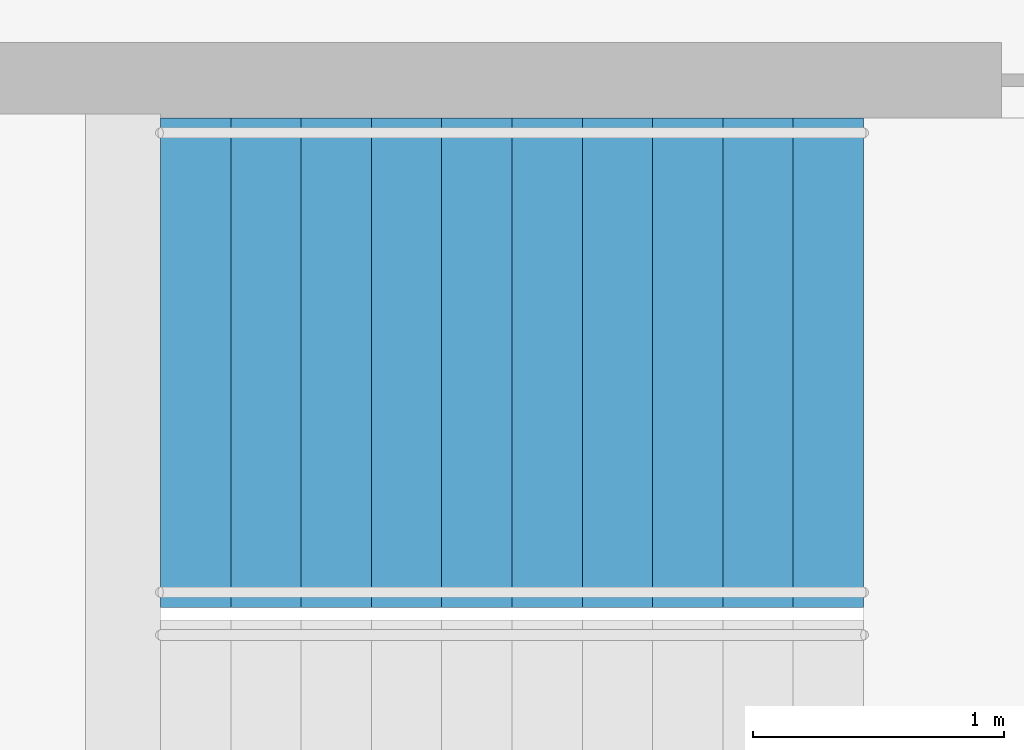
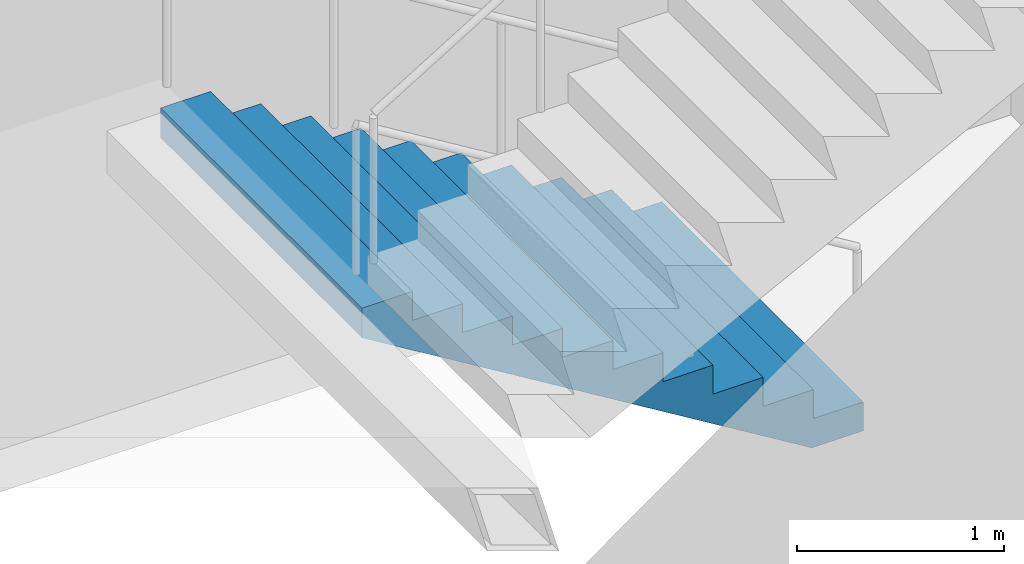
# One storey, part 22 of 23: 1 stair flight, 1 element without a shape of its own.
"""IFC4 building model written with IfcOpenShell, lengths in metres."""

from ifc_helpers import new_model, si_unit, direction, frame, origin, place, context, subcontext, project, spatial, triangles, material, type_object, element, aggregate, save


model = new_model("IFC4")

# Units and contexts
model_context = context("Model", 3, precision=1e-05, world=origin(), true_north=direction((0.0, 1.0)))
body_context = subcontext(model_context, "Body", "Model", "MODEL_VIEW")
ifc_project = project(units=[si_unit("LENGTHUNIT", "METRE"), si_unit("AREAUNIT", "SQUARE_METRE"), si_unit("VOLUMEUNIT", "CUBIC_METRE"), si_unit("PLANEANGLEUNIT", "RADIAN"), si_unit("MASSUNIT", "GRAM", prefix="KILO")], contexts=[model_context])

# Site, building, storey
site_placement = place(None, origin())
site = spatial("IfcSite", under=ifc_project, at=site_placement, CompositionType="ELEMENT")
building_placement = place(site_placement, origin())
building = spatial("IfcBuilding", under=site, at=building_placement, Name="Orbita Commons", CompositionType="ELEMENT")
storey_placement = place(building_placement, frame((0.0, 0.0, 46.449951171875)))
storey = spatial("IfcBuildingStorey", under=building, at=storey_placement, Name="L11", CompositionType="ELEMENT", Elevation=46.449951171875)

# Stair, stair flight
ifc_material_1 = material(Name="Precast concrete C40/50", Category="concrete")
stair_type = type_object("IfcStairType", Name="Exit stair S2 2 flights 11 risers 170", PredefinedType="HALF_TURN_STAIR", material=ifc_material_1)
stair_placement = place(storey_placement, origin())
stair = element("IfcStair", 1, at=stair_placement, inside=storey, type_object=stair_type, Name="Exit stair S2 L11", PredefinedType="HALF_TURN_STAIR")
ifc_material_2 = material(Name="Precast concrete C40/50", Category="concrete")
stair_flight_type = type_object("IfcStairFlightType", Name="Stair flight 11 risers 170 x 280", PredefinedType="STRAIGHT", material=ifc_material_2)
stair_flight_placement = place(storey_placement, frame((63.550048828125, 29.27490234375, 0.0), z_axis=(0.0, 0.0, 1.0), x_axis=(-1.0, 0.0, 0.0)))
stair_flight = element("IfcStairFlight", 2, at=stair_flight_placement, type_object=stair_flight_type, Name="S2 flight 1", NumberOfRisers=11, NumberOfTreads=10, PredefinedType="STRAIGHT", RiserHeight=0.170454545, TreadLength=0.28, context=body_context, shape_type="Tessellation", body=[
    triangles([(0.0, 0.974976, 0.0), (0.0, 0.974976, 0.021307), (0.0, 0.81248, 0.021307), (0.0, 0.81248, 0.0), (0.0, 0.649984, 0.021307), (0.0, 0.649984, 0.0), (0.0, 0.487488, 0.021307), (0.0, 0.487488, 0.0), (0.0, 0.324992, 0.021307), (0.0, 0.324992, 0.0), (0.0, 0.162496, 0.021307), (0.0, 0.162496, 0.0), (0.0, 0.0, 0.021307), (0.0, 0.0, 0.0), (0.0, -0.162496, 0.021307), (0.0, -0.162496, 0.0), (0.0, -0.324992, 0.021307), (0.0, -0.324992, 0.0), (0.0, -0.487488, 0.021307), (0.0, -0.487488, 0.0), (0.0, -0.649984, 0.021307), (0.0, -0.649984, 0.0), (0.0, -0.81248, 0.021307), (0.0, -0.81248, 0.0), (0.0, -0.974976, 0.021307), (0.0, -0.974976, 0.0), (0.0, 0.974976, 0.042614), (0.0, 0.81248, 0.042614), (0.0, 0.649984, 0.042614), (0.0, 0.487488, 0.042614), (0.0, 0.324992, 0.042614), (0.0, 0.162496, 0.042614), (0.0, 0.0, 0.042614), (0.0, -0.162496, 0.042614), (0.0, -0.324992, 0.042614), (0.0, -0.487488, 0.042614), (0.0, -0.649984, 0.042614), (0.0, -0.81248, 0.042614), (0.0, -0.974976, 0.042614), (0.0, 0.974976, 0.06392), (0.0, 0.81248, 0.06392), (0.0, 0.649984, 0.06392), (0.0, 0.487488, 0.06392), (0.0, 0.324992, 0.06392), (0.0, 0.162496, 0.06392), (0.0, 0.0, 0.06392), (0.0, -0.162496, 0.06392), (0.0, -0.324992, 0.06392), (0.0, -0.487488, 0.06392), (0.0, -0.649984, 0.06392), (0.0, -0.81248, 0.06392), (0.0, -0.974976, 0.06392), (0.0, 0.974976, 0.085227), (0.0, 0.81248, 0.085227), (0.0, 0.649984, 0.085227), (0.0, 0.487488, 0.085227), (0.0, 0.324992, 0.085227), (0.0, 0.162496, 0.085227), (0.0, 0.0, 0.085227), (0.0, -0.162496, 0.085227), (0.0, -0.324992, 0.085227), (0.0, -0.487488, 0.085227), (0.0, -0.649984, 0.085227), (0.0, -0.81248, 0.085227), (0.0, -0.974976, 0.085227), (0.0, 0.974976, 0.106534), (0.0, 0.81248, 0.106534), (0.0, 0.649984, 0.106534), (0.0, 0.487488, 0.106534), (0.0, 0.324992, 0.106534), (0.0, 0.162496, 0.106534), (0.0, 0.0, 0.106534), (0.0, -0.162496, 0.106534), (0.0, -0.324992, 0.106534), (0.0, -0.487488, 0.106534), (0.0, -0.649984, 0.106534), (0.0, -0.81248, 0.106534), (0.0, -0.974976, 0.106534), (0.0, 0.974976, 0.127841), (0.0, 0.81248, 0.127841), (0.0, 0.649984, 0.127841), (0.0, 0.487488, 0.127841), (0.0, 0.324992, 0.127841), (0.0, 0.162496, 0.127841), (0.0, 0.0, 0.127841), (0.0, -0.162496, 0.127841), (0.0, -0.324992, 0.127841), (0.0, -0.487488, 0.127841), (0.0, -0.649984, 0.127841), (0.0, -0.81248, 0.127841), (0.0, -0.974976, 0.127841), (0.0, 0.974976, 0.149148), (0.0, 0.81248, 0.149148), (0.0, 0.649984, 0.149148), (0.0, 0.487488, 0.149148), (0.0, 0.324992, 0.149148), (0.0, 0.162496, 0.149148), (0.0, 0.0, 0.149148), (0.0, -0.162496, 0.149148), (0.0, -0.324992, 0.149148), (0.0, -0.487488, 0.149148), (0.0, -0.649984, 0.149148), (0.0, -0.81248, 0.149148), (0.0, -0.974976, 0.149148), (0.0, 0.974976, 0.170455), (0.0, 0.81248, 0.170455), (0.0, 0.649984, 0.170455), (0.0, 0.487488, 0.170455), (0.0, 0.324992, 0.170455), (0.0, 0.162496, 0.170455), (0.0, 0.0, 0.170455), (0.0, -0.162496, 0.170455), (0.0, -0.324992, 0.170455), (0.0, -0.487488, 0.170455), (0.0, -0.649984, 0.170455), (0.0, -0.81248, 0.170455), (0.0, -0.974976, 0.170455), (0.28, 0.974976, 0.170455), (0.28, 0.81248, 0.170455), (0.28, 0.649984, 0.170455), (0.28, 0.487488, 0.170455), (0.28, 0.324992, 0.170455), (0.28, 0.162496, 0.170455), (0.28, 0.0, 0.170455), (0.28, -0.162496, 0.170455), (0.28, -0.324992, 0.170455), (0.28, -0.487488, 0.170455), (0.28, -0.649984, 0.170455), (0.28, -0.81248, 0.170455), (0.28, -0.974976, 0.170455), (0.28, 0.974976, 0.340909), (0.28, 0.81248, 0.340909), (0.28, 0.649984, 0.340909), (0.28, 0.487488, 0.340909), (0.28, 0.324992, 0.340909), (0.28, 0.162496, 0.340909), (0.28, 0.0, 0.340909), (0.28, -0.162496, 0.340909), (0.28, -0.324992, 0.340909), (0.28, -0.487488, 0.340909), (0.28, -0.649984, 0.340909), (0.28, -0.81248, 0.340909), (0.28, -0.974976, 0.340909), (0.56, 0.974976, 0.340909), (0.56, 0.81248, 0.340909), (0.56, 0.649984, 0.340909), (0.56, 0.487488, 0.340909), (0.56, 0.324992, 0.340909), (0.56, 0.162496, 0.340909), (0.56, 0.0, 0.340909), (0.56, -0.162496, 0.340909), (0.56, -0.324992, 0.340909), (0.56, -0.487488, 0.340909), (0.56, -0.649984, 0.340909), (0.56, -0.81248, 0.340909), (0.56, -0.974976, 0.340909), (0.56, 0.974976, 0.511364), (0.56, 0.81248, 0.511364), (0.56, 0.649984, 0.511364), (0.56, 0.487488, 0.511364), (0.56, 0.324992, 0.511364), (0.56, 0.162496, 0.511364), (0.56, 0.0, 0.511364), (0.56, -0.162496, 0.511364), (0.56, -0.324992, 0.511364), (0.56, -0.487488, 0.511364), (0.56, -0.649984, 0.511364), (0.56, -0.81248, 0.511364), (0.56, -0.974976, 0.511364), (0.84, 0.974976, 0.511364), (0.84, 0.81248, 0.511364), (0.84, 0.649984, 0.511364), (0.84, 0.487488, 0.511364), (0.84, 0.324992, 0.511364), (0.84, 0.162496, 0.511364), (0.84, 0.0, 0.511364), (0.84, -0.162496, 0.511364), (0.84, -0.324992, 0.511364), (0.84, -0.487488, 0.511364), (0.84, -0.649984, 0.511364), (0.84, -0.81248, 0.511364), (0.84, -0.974976, 0.511364), (0.84, 0.974976, 0.681818), (0.84, 0.81248, 0.681818), (0.84, 0.649984, 0.681818), (0.84, 0.487488, 0.681818), (0.84, 0.324992, 0.681818), (0.84, 0.162496, 0.681818), (0.84, 0.0, 0.681818), (0.84, -0.162496, 0.681818), (0.84, -0.324992, 0.681818), (0.84, -0.487488, 0.681818), (0.84, -0.649984, 0.681818), (0.84, -0.81248, 0.681818), (0.84, -0.974976, 0.681818), (1.12, 0.974976, 0.681818), (1.12, 0.81248, 0.681818), (1.12, 0.649984, 0.681818), (1.12, 0.487488, 0.681818), (1.12, 0.324992, 0.681818), (1.12, 0.162496, 0.681818), (1.12, 0.0, 0.681818), (1.12, -0.162496, 0.681818), (1.12, -0.324992, 0.681818), (1.12, -0.487488, 0.681818), (1.12, -0.649984, 0.681818), (1.12, -0.81248, 0.681818), (1.12, -0.974976, 0.681818), (1.12, 0.974976, 0.852273), (1.12, 0.81248, 0.852273), (1.12, 0.649984, 0.852273), (1.12, 0.487488, 0.852273), (1.12, 0.324992, 0.852273), (1.12, 0.162496, 0.852273), (1.12, 0.0, 0.852273), (1.12, -0.162496, 0.852273), (1.12, -0.324992, 0.852273), (1.12, -0.487488, 0.852273), (1.12, -0.649984, 0.852273), (1.12, -0.81248, 0.852273), (1.12, -0.974976, 0.852273), (1.4, 0.974976, 0.852273), (1.4, 0.81248, 0.852273), (1.4, 0.649984, 0.852273), (1.4, 0.487488, 0.852273), (1.4, 0.324992, 0.852273), (1.4, 0.162496, 0.852273), (1.4, 0.0, 0.852273), (1.4, -0.162496, 0.852273), (1.4, -0.324992, 0.852273), (1.4, -0.487488, 0.852273), (1.4, -0.649984, 0.852273), (1.4, -0.81248, 0.852273), (1.4, -0.974976, 0.852273), (1.4, 0.974976, 1.022727), (1.4, 0.81248, 1.022727), (1.4, 0.649984, 1.022727), (1.4, 0.487488, 1.022727), (1.4, 0.324992, 1.022727), (1.4, 0.162496, 1.022727), (1.4, 0.0, 1.022727), (1.4, -0.162496, 1.022727), (1.4, -0.324992, 1.022727), (1.4, -0.487488, 1.022727), (1.4, -0.649984, 1.022727), (1.4, -0.81248, 1.022727), (1.4, -0.974976, 1.022727), (1.68, 0.974976, 1.022727), (1.68, 0.81248, 1.022727), (1.68, 0.649984, 1.022727), (1.68, 0.487488, 1.022727), (1.68, 0.324992, 1.022727), (1.68, 0.162496, 1.022727), (1.68, 0.0, 1.022727), (1.68, -0.162496, 1.022727), (1.68, -0.324992, 1.022727), (1.68, -0.487488, 1.022727), (1.68, -0.649984, 1.022727), (1.68, -0.81248, 1.022727), (1.68, -0.974976, 1.022727), (1.68, 0.974976, 1.193182), (1.68, 0.81248, 1.193182), (1.68, 0.649984, 1.193182), (1.68, 0.487488, 1.193182), (1.68, 0.324992, 1.193182), (1.68, 0.162496, 1.193182), (1.68, 0.0, 1.193182), (1.68, -0.162496, 1.193182), (1.68, -0.324992, 1.193182), (1.68, -0.487488, 1.193182), (1.68, -0.649984, 1.193182), (1.68, -0.81248, 1.193182), (1.68, -0.974976, 1.193182), (1.96, 0.974976, 1.193182), (1.96, 0.81248, 1.193182), (1.96, 0.649984, 1.193182), (1.96, 0.487488, 1.193182), (1.96, 0.324992, 1.193182), (1.96, 0.162496, 1.193182), (1.96, 0.0, 1.193182), (1.96, -0.162496, 1.193182), (1.96, -0.324992, 1.193182), (1.96, -0.487488, 1.193182), (1.96, -0.649984, 1.193182), (1.96, -0.81248, 1.193182), (1.96, -0.974976, 1.193182), (1.96, 0.974976, 1.363636), (1.96, 0.81248, 1.363636), (1.96, 0.649984, 1.363636), (1.96, 0.487488, 1.363636), (1.96, 0.324992, 1.363636), (1.96, 0.162496, 1.363636), (1.96, 0.0, 1.363636), (1.96, -0.162496, 1.363636), (1.96, -0.324992, 1.363636), (1.96, -0.487488, 1.363636), (1.96, -0.649984, 1.363636), (1.96, -0.81248, 1.363636), (1.96, -0.974976, 1.363636), (2.24, 0.974976, 1.363636), (2.24, 0.81248, 1.363636), (2.24, 0.649984, 1.363636), (2.24, 0.487488, 1.363636), (2.24, 0.324992, 1.363636), (2.24, 0.162496, 1.363636), (2.24, 0.0, 1.363636), (2.24, -0.162496, 1.363636), (2.24, -0.324992, 1.363636), (2.24, -0.487488, 1.363636), (2.24, -0.649984, 1.363636), (2.24, -0.81248, 1.363636), (2.24, -0.974976, 1.363636), (2.24, 0.974976, 1.534091), (2.24, 0.81248, 1.534091), (2.24, 0.649984, 1.534091), (2.24, 0.487488, 1.534091), (2.24, 0.324992, 1.534091), (2.24, 0.162496, 1.534091), (2.24, 0.0, 1.534091), (2.24, -0.162496, 1.534091), (2.24, -0.324992, 1.534091), (2.24, -0.487488, 1.534091), (2.24, -0.649984, 1.534091), (2.24, -0.81248, 1.534091), (2.24, -0.974976, 1.534091), (2.52, 0.974976, 1.534091), (2.52, 0.81248, 1.534091), (2.52, 0.649984, 1.534091), (2.52, 0.487488, 1.534091), (2.52, 0.324992, 1.534091), (2.52, 0.162496, 1.534091), (2.52, 0.0, 1.534091), (2.52, -0.162496, 1.534091), (2.52, -0.324992, 1.534091), (2.52, -0.487488, 1.534091), (2.52, -0.649984, 1.534091), (2.52, -0.81248, 1.534091), (2.52, -0.974976, 1.534091), (2.52, 0.974976, 1.704545), (2.52, 0.81248, 1.704545), (2.52, 0.649984, 1.704545), (2.52, 0.487488, 1.704545), (2.52, 0.324992, 1.704545), (2.52, 0.162496, 1.704545), (2.52, 0.0, 1.704545), (2.52, -0.162496, 1.704545), (2.52, -0.324992, 1.704545), (2.52, -0.487488, 1.704545), (2.52, -0.649984, 1.704545), (2.52, -0.81248, 1.704545), (2.52, -0.974976, 1.704545), (2.8, 0.974976, 1.704545), (2.8, 0.81248, 1.704545), (2.8, 0.649984, 1.704545), (2.8, 0.487488, 1.704545), (2.8, 0.324992, 1.704545), (2.8, 0.162496, 1.704545), (2.8, 0.0, 1.704545), (2.8, -0.162496, 1.704545), (2.8, -0.324992, 1.704545), (2.8, -0.487488, 1.704545), (2.8, -0.649984, 1.704545), (2.8, -0.81248, 1.704545), (2.8, -0.974976, 1.704545), (2.8, 0.974976, 1.682609), (2.8, 0.81248, 1.682609), (2.8, 0.649984, 1.682609), (2.8, 0.487488, 1.682609), (2.8, 0.324992, 1.682609), (2.8, 0.162496, 1.682609), (2.8, 0.0, 1.682609), (2.8, -0.162496, 1.682609), (2.8, -0.324992, 1.682609), (2.8, -0.487488, 1.682609), (2.8, -0.649984, 1.682609), (2.8, -0.81248, 1.682609), (2.8, -0.974976, 1.682609), (2.8, 0.974976, 1.660672), (2.8, 0.81248, 1.660672), (2.8, 0.649984, 1.660672), (2.8, 0.487488, 1.660672), (2.8, 0.324992, 1.660672), (2.8, 0.162496, 1.660672), (2.8, 0.0, 1.660672), (2.8, -0.162496, 1.660672), (2.8, -0.324992, 1.660672), (2.8, -0.487488, 1.660672), (2.8, -0.649984, 1.660672), (2.8, -0.81248, 1.660672), (2.8, -0.974976, 1.660672), (2.8, 0.974976, 1.638735), (2.8, 0.81248, 1.638735), (2.8, 0.649984, 1.638735), (2.8, 0.487488, 1.638735), (2.8, 0.324992, 1.638735), (2.8, 0.162496, 1.638735), (2.8, 0.0, 1.638735), (2.8, -0.162496, 1.638735), (2.8, -0.324992, 1.638735), (2.8, -0.487488, 1.638735), (2.8, -0.649984, 1.638735), (2.8, -0.81248, 1.638735), (2.8, -0.974976, 1.638735), (2.8, 0.974976, 1.616798), (2.8, 0.81248, 1.616798), (2.8, 0.649984, 1.616798), (2.8, 0.487488, 1.616798), (2.8, 0.324992, 1.616798), (2.8, 0.162496, 1.616798), (2.8, 0.0, 1.616798), (2.8, -0.162496, 1.616798), (2.8, -0.324992, 1.616798), (2.8, -0.487488, 1.616798), (2.8, -0.649984, 1.616798), (2.8, -0.81248, 1.616798), (2.8, -0.974976, 1.616798), (2.8, 0.974976, 1.594861), (2.8, 0.81248, 1.594861), (2.8, 0.649984, 1.594861), (2.8, 0.487488, 1.594861), (2.8, 0.324992, 1.594861), (2.8, 0.162496, 1.594861), (2.8, 0.0, 1.594861), (2.8, -0.162496, 1.594861), (2.8, -0.324992, 1.594861), (2.8, -0.487488, 1.594861), (2.8, -0.649984, 1.594861), (2.8, -0.81248, 1.594861), (2.8, -0.974976, 1.594861), (2.8, 0.974976, 1.572925), (2.8, 0.81248, 1.572925), (2.8, 0.649984, 1.572925), (2.8, 0.487488, 1.572925), (2.8, 0.324992, 1.572925), (2.8, 0.162496, 1.572925), (2.8, 0.0, 1.572925), (2.8, -0.162496, 1.572925), (2.8, -0.324992, 1.572925), (2.8, -0.487488, 1.572925), (2.8, -0.649984, 1.572925), (2.8, -0.81248, 1.572925), (2.8, -0.974976, 1.572925), (2.8, 0.974976, 1.550988), (2.8, 0.81248, 1.550988), (2.8, 0.649984, 1.550988), (2.8, 0.487488, 1.550988), (2.8, 0.324992, 1.550988), (2.8, 0.162496, 1.550988), (2.8, 0.0, 1.550988), (2.8, -0.162496, 1.550988), (2.8, -0.324992, 1.550988), (2.8, -0.487488, 1.550988), (2.8, -0.649984, 1.550988), (2.8, -0.81248, 1.550988), (2.8, -0.974976, 1.550988), (2.8, 0.974976, 1.529051), (2.8, 0.81248, 1.529051), (2.8, 0.649984, 1.529051), (2.8, 0.487488, 1.529051), (2.8, 0.324992, 1.529051), (2.8, 0.162496, 1.529051), (2.8, 0.0, 1.529051), (2.8, -0.162496, 1.529051), (2.8, -0.324992, 1.529051), (2.8, -0.487488, 1.529051), (2.8, -0.649984, 1.529051), (2.8, -0.81248, 1.529051), (2.8, -0.974976, 1.529051), (0.288279, 0.974976, 0.0), (0.288279, 0.81248, 0.0), (0.288279, 0.649984, 0.0), (0.288279, 0.487488, 0.0), (0.288279, 0.324992, 0.0), (0.288279, 0.162496, 0.0), (0.288279, 0.0, 0.0), (0.288279, -0.162496, 0.0), (0.288279, -0.324992, 0.0), (0.288279, -0.487488, 0.0), (0.288279, -0.649984, 0.0), (0.288279, -0.81248, 0.0), (0.288279, -0.974976, 0.0)], [[3, 2, 1], [4, 3, 1], [5, 3, 4], [6, 5, 4], [7, 5, 6], [8, 7, 6], [9, 7, 8], [10, 9, 8], [11, 9, 10], [12, 11, 10], [13, 11, 12], [14, 13, 12], [15, 13, 14], [16, 15, 14], [17, 15, 16], [18, 17, 16], [19, 17, 18], [20, 19, 18], [21, 19, 20], [22, 21, 20], [23, 21, 22], [24, 23, 22], [25, 23, 24], [26, 25, 24], [28, 27, 2], [3, 28, 2], [29, 28, 3], [5, 29, 3], [30, 29, 5], [7, 30, 5], [31, 30, 7], [9, 31, 7], [32, 31, 9], [11, 32, 9], [33, 32, 11], [13, 33, 11], [34, 33, 13], [15, 34, 13], [35, 34, 15], [17, 35, 15], [36, 35, 17], [19, 36, 17], [37, 36, 19], [21, 37, 19], [38, 37, 21], [23, 38, 21], [39, 38, 23], [25, 39, 23], [41, 40, 27], [28, 41, 27], [42, 41, 28], [29, 42, 28], [43, 42, 29], [30, 43, 29], [44, 43, 30], [31, 44, 30], [45, 44, 31], [32, 45, 31], [46, 45, 32], [33, 46, 32], [47, 46, 33], [34, 47, 33], [48, 47, 34], [35, 48, 34], [49, 48, 35], [36, 49, 35], [50, 49, 36], [37, 50, 36], [51, 50, 37], [38, 51, 37], [52, 51, 38], [39, 52, 38], [54, 53, 40], [41, 54, 40], [55, 54, 41], [42, 55, 41], [56, 55, 42], [43, 56, 42], [57, 56, 43], [44, 57, 43], [58, 57, 44], [45, 58, 44], [59, 58, 45], [46, 59, 45], [60, 59, 46], [47, 60, 46], [61, 60, 47], [48, 61, 47], [62, 61, 48], [49, 62, 48], [63, 62, 49], [50, 63, 49], [64, 63, 50], [51, 64, 50], [65, 64, 51], [52, 65, 51], [67, 66, 53], [54, 67, 53], [68, 67, 54], [55, 68, 54], [69, 68, 55], [56, 69, 55], [70, 69, 56], [57, 70, 56], [71, 70, 57], [58, 71, 57], [72, 71, 58], [59, 72, 58], [73, 72, 59], [60, 73, 59], [74, 73, 60], [61, 74, 60], [75, 74, 61], [62, 75, 61], [76, 75, 62], [63, 76, 62], [77, 76, 63], [64, 77, 63], [78, 77, 64], [65, 78, 64], [80, 79, 66], [67, 80, 66], [81, 80, 67], [68, 81, 67], [82, 81, 68], [69, 82, 68], [83, 82, 69], [70, 83, 69], [84, 83, 70], [71, 84, 70], [85, 84, 71], [72, 85, 71], [86, 85, 72], [73, 86, 72], [87, 86, 73], [74, 87, 73], [88, 87, 74], [75, 88, 74], [89, 88, 75], [76, 89, 75], [90, 89, 76], [77, 90, 76], [91, 90, 77], [78, 91, 77], [93, 92, 79], [80, 93, 79], [94, 93, 80], [81, 94, 80], [95, 94, 81], [82, 95, 81], [96, 95, 82], [83, 96, 82], [97, 96, 83], [84, 97, 83], [98, 97, 84], [85, 98, 84], [99, 98, 85], [86, 99, 85], [100, 99, 86], [87, 100, 86], [101, 100, 87], [88, 101, 87], [102, 101, 88], [89, 102, 88], [103, 102, 89], [90, 103, 89], [104, 103, 90], [91, 104, 90], [106, 105, 92], [93, 106, 92], [107, 106, 93], [94, 107, 93], [108, 107, 94], [95, 108, 94], [109, 108, 95], [96, 109, 95], [110, 109, 96], [97, 110, 96], [111, 110, 97], [98, 111, 97], [112, 111, 98], [99, 112, 98], [113, 112, 99], [100, 113, 99], [114, 113, 100], [101, 114, 100], [115, 114, 101], [102, 115, 101], [116, 115, 102], [103, 116, 102], [117, 116, 103], [104, 117, 103], [119, 118, 105], [106, 119, 105], [120, 119, 106], [107, 120, 106], [121, 120, 107], [108, 121, 107], [122, 121, 108], [109, 122, 108], [123, 122, 109], [110, 123, 109], [124, 123, 110], [111, 124, 110], [125, 124, 111], [112, 125, 111], [126, 125, 112], [113, 126, 112], [127, 126, 113], [114, 127, 113], [128, 127, 114], [115, 128, 114], [129, 128, 115], [116, 129, 115], [130, 129, 116], [117, 130, 116], [132, 131, 118], [119, 132, 118], [133, 132, 119], [120, 133, 119], [134, 133, 120], [121, 134, 120], [135, 134, 121], [122, 135, 121], [136, 135, 122], [123, 136, 122], [137, 136, 123], [124, 137, 123], [138, 137, 124], [125, 138, 124], [139, 138, 125], [126, 139, 125], [140, 139, 126], [127, 140, 126], [141, 140, 127], [128, 141, 127], [142, 141, 128], [129, 142, 128], [143, 142, 129], [130, 143, 129], [145, 144, 131], [132, 145, 131], [146, 145, 132], [133, 146, 132], [147, 146, 133], [134, 147, 133], [148, 147, 134], [135, 148, 134], [149, 148, 135], [136, 149, 135], [150, 149, 136], [137, 150, 136], [151, 150, 137], [138, 151, 137], [152, 151, 138], [139, 152, 138], [153, 152, 139], [140, 153, 139], [154, 153, 140], [141, 154, 140], [155, 154, 141], [142, 155, 141], [156, 155, 142], [143, 156, 142], [158, 157, 144], [145, 158, 144], [159, 158, 145], [146, 159, 145], [160, 159, 146], [147, 160, 146], [161, 160, 147], [148, 161, 147], [162, 161, 148], [149, 162, 148], [163, 162, 149], [150, 163, 149], [164, 163, 150], [151, 164, 150], [165, 164, 151], [152, 165, 151], [166, 165, 152], [153, 166, 152], [167, 166, 153], [154, 167, 153], [168, 167, 154], [155, 168, 154], [169, 168, 155], [156, 169, 155], [171, 170, 157], [158, 171, 157], [172, 171, 158], [159, 172, 158], [173, 172, 159], [160, 173, 159], [174, 173, 160], [161, 174, 160], [175, 174, 161], [162, 175, 161], [176, 175, 162], [163, 176, 162], [177, 176, 163], [164, 177, 163], [178, 177, 164], [165, 178, 164], [179, 178, 165], [166, 179, 165], [180, 179, 166], [167, 180, 166], [181, 180, 167], [168, 181, 167], [182, 181, 168], [169, 182, 168], [184, 183, 170], [171, 184, 170], [185, 184, 171], [172, 185, 171], [186, 185, 172], [173, 186, 172], [187, 186, 173], [174, 187, 173], [188, 187, 174], [175, 188, 174], [189, 188, 175], [176, 189, 175], [190, 189, 176], [177, 190, 176], [191, 190, 177], [178, 191, 177], [192, 191, 178], [179, 192, 178], [193, 192, 179], [180, 193, 179], [194, 193, 180], [181, 194, 180], [195, 194, 181], [182, 195, 181], [197, 196, 183], [184, 197, 183], [198, 197, 184], [185, 198, 184], [199, 198, 185], [186, 199, 185], [200, 199, 186], [187, 200, 186], [201, 200, 187], [188, 201, 187], [202, 201, 188], [189, 202, 188], [203, 202, 189], [190, 203, 189], [204, 203, 190], [191, 204, 190], [205, 204, 191], [192, 205, 191], [206, 205, 192], [193, 206, 192], [207, 206, 193], [194, 207, 193], [208, 207, 194], [195, 208, 194], [210, 209, 196], [197, 210, 196], [211, 210, 197], [198, 211, 197], [212, 211, 198], [199, 212, 198], [213, 212, 199], [200, 213, 199], [214, 213, 200], [201, 214, 200], [215, 214, 201], [202, 215, 201], [216, 215, 202], [203, 216, 202], [217, 216, 203], [204, 217, 203], [218, 217, 204], [205, 218, 204], [219, 218, 205], [206, 219, 205], [220, 219, 206], [207, 220, 206], [221, 220, 207], [208, 221, 207], [223, 222, 209], [210, 223, 209], [224, 223, 210], [211, 224, 210], [225, 224, 211], [212, 225, 211], [226, 225, 212], [213, 226, 212], [227, 226, 213], [214, 227, 213], [228, 227, 214], [215, 228, 214], [229, 228, 215], [216, 229, 215], [230, 229, 216], [217, 230, 216], [231, 230, 217], [218, 231, 217], [232, 231, 218], [219, 232, 218], [233, 232, 219], [220, 233, 219], [234, 233, 220], [221, 234, 220], [236, 235, 222], [223, 236, 222], [237, 236, 223], [224, 237, 223], [238, 237, 224], [225, 238, 224], [239, 238, 225], [226, 239, 225], [240, 239, 226], [227, 240, 226], [241, 240, 227], [228, 241, 227], [242, 241, 228], [229, 242, 228], [243, 242, 229], [230, 243, 229], [244, 243, 230], [231, 244, 230], [245, 244, 231], [232, 245, 231], [246, 245, 232], [233, 246, 232], [247, 246, 233], [234, 247, 233], [249, 248, 235], [236, 249, 235], [250, 249, 236], [237, 250, 236], [251, 250, 237], [238, 251, 237], [252, 251, 238], [239, 252, 238], [253, 252, 239], [240, 253, 239], [254, 253, 240], [241, 254, 240], [255, 254, 241], [242, 255, 241], [256, 255, 242], [243, 256, 242], [257, 256, 243], [244, 257, 243], [258, 257, 244], [245, 258, 244], [259, 258, 245], [246, 259, 245], [260, 259, 246], [247, 260, 246], [262, 261, 248], [249, 262, 248], [263, 262, 249], [250, 263, 249], [264, 263, 250], [251, 264, 250], [265, 264, 251], [252, 265, 251], [266, 265, 252], [253, 266, 252], [267, 266, 253], [254, 267, 253], [268, 267, 254], [255, 268, 254], [269, 268, 255], [256, 269, 255], [270, 269, 256], [257, 270, 256], [271, 270, 257], [258, 271, 257], [272, 271, 258], [259, 272, 258], [273, 272, 259], [260, 273, 259], [275, 274, 261], [262, 275, 261], [276, 275, 262], [263, 276, 262], [277, 276, 263], [264, 277, 263], [278, 277, 264], [265, 278, 264], [279, 278, 265], [266, 279, 265], [280, 279, 266], [267, 280, 266], [281, 280, 267], [268, 281, 267], [282, 281, 268], [269, 282, 268], [283, 282, 269], [270, 283, 269], [284, 283, 270], [271, 284, 270], [285, 284, 271], [272, 285, 271], [286, 285, 272], [273, 286, 272], [288, 287, 274], [275, 288, 274], [289, 288, 275], [276, 289, 275], [290, 289, 276], [277, 290, 276], [291, 290, 277], [278, 291, 277], [292, 291, 278], [279, 292, 278], [293, 292, 279], [280, 293, 279], [294, 293, 280], [281, 294, 280], [295, 294, 281], [282, 295, 281], [296, 295, 282], [283, 296, 282], [297, 296, 283], [284, 297, 283], [298, 297, 284], [285, 298, 284], [299, 298, 285], [286, 299, 285], [301, 300, 287], [288, 301, 287], [302, 301, 288], [289, 302, 288], [303, 302, 289], [290, 303, 289], [304, 303, 290], [291, 304, 290], [305, 304, 291], [292, 305, 291], [306, 305, 292], [293, 306, 292], [307, 306, 293], [294, 307, 293], [308, 307, 294], [295, 308, 294], [309, 308, 295], [296, 309, 295], [310, 309, 296], [297, 310, 296], [311, 310, 297], [298, 311, 297], [312, 311, 298], [299, 312, 298], [314, 313, 300], [301, 314, 300], [315, 314, 301], [302, 315, 301], [316, 315, 302], [303, 316, 302], [317, 316, 303], [304, 317, 303], [318, 317, 304], [305, 318, 304], [319, 318, 305], [306, 319, 305], [320, 319, 306], [307, 320, 306], [321, 320, 307], [308, 321, 307], [322, 321, 308], [309, 322, 308], [323, 322, 309], [310, 323, 309], [324, 323, 310], [311, 324, 310], [325, 324, 311], [312, 325, 311], [327, 326, 313], [314, 327, 313], [328, 327, 314], [315, 328, 314], [329, 328, 315], [316, 329, 315], [330, 329, 316], [317, 330, 316], [331, 330, 317], [318, 331, 317], [332, 331, 318], [319, 332, 318], [333, 332, 319], [320, 333, 319], [334, 333, 320], [321, 334, 320], [335, 334, 321], [322, 335, 321], [336, 335, 322], [323, 336, 322], [337, 336, 323], [324, 337, 323], [338, 337, 324], [325, 338, 324], [340, 339, 326], [327, 340, 326], [341, 340, 327], [328, 341, 327], [342, 341, 328], [329, 342, 328], [343, 342, 329], [330, 343, 329], [344, 343, 330], [331, 344, 330], [345, 344, 331], [332, 345, 331], [346, 345, 332], [333, 346, 332], [347, 346, 333], [334, 347, 333], [348, 347, 334], [335, 348, 334], [349, 348, 335], [336, 349, 335], [350, 349, 336], [337, 350, 336], [351, 350, 337], [338, 351, 337], [353, 352, 339], [340, 353, 339], [354, 353, 340], [341, 354, 340], [355, 354, 341], [342, 355, 341], [356, 355, 342], [343, 356, 342], [357, 356, 343], [344, 357, 343], [358, 357, 344], [345, 358, 344], [359, 358, 345], [346, 359, 345], [360, 359, 346], [347, 360, 346], [361, 360, 347], [348, 361, 347], [362, 361, 348], [349, 362, 348], [363, 362, 349], [350, 363, 349], [364, 363, 350], [351, 364, 350], [366, 365, 352], [353, 366, 352], [367, 366, 353], [354, 367, 353], [368, 367, 354], [355, 368, 354], [369, 368, 355], [356, 369, 355], [370, 369, 356], [357, 370, 356], [371, 370, 357], [358, 371, 357], [372, 371, 358], [359, 372, 358], [373, 372, 359], [360, 373, 359], [374, 373, 360], [361, 374, 360], [375, 374, 361], [362, 375, 361], [376, 375, 362], [363, 376, 362], [377, 376, 363], [364, 377, 363], [379, 378, 365], [366, 379, 365], [380, 379, 366], [367, 380, 366], [381, 380, 367], [368, 381, 367], [382, 381, 368], [369, 382, 368], [383, 382, 369], [370, 383, 369], [384, 383, 370], [371, 384, 370], [385, 384, 371], [372, 385, 371], [386, 385, 372], [373, 386, 372], [387, 386, 373], [374, 387, 373], [388, 387, 374], [375, 388, 374], [389, 388, 375], [376, 389, 375], [390, 389, 376], [377, 390, 376], [392, 391, 378], [379, 392, 378], [393, 392, 379], [380, 393, 379], [394, 393, 380], [381, 394, 380], [395, 394, 381], [382, 395, 381], [396, 395, 382], [383, 396, 382], [397, 396, 383], [384, 397, 383], [398, 397, 384], [385, 398, 384], [399, 398, 385], [386, 399, 385], [400, 399, 386], [387, 400, 386], [401, 400, 387], [388, 401, 387], [402, 401, 388], [389, 402, 388], [403, 402, 389], [390, 403, 389], [405, 404, 391], [392, 405, 391], [406, 405, 392], [393, 406, 392], [407, 406, 393], [394, 407, 393], [408, 407, 394], [395, 408, 394], [409, 408, 395], [396, 409, 395], [410, 409, 396], [397, 410, 396], [411, 410, 397], [398, 411, 397], [412, 411, 398], [399, 412, 398], [413, 412, 399], [400, 413, 399], [414, 413, 400], [401, 414, 400], [415, 414, 401], [402, 415, 401], [416, 415, 402], [403, 416, 402], [418, 417, 404], [405, 418, 404], [419, 418, 405], [406, 419, 405], [420, 419, 406], [407, 420, 406], [421, 420, 407], [408, 421, 407], [422, 421, 408], [409, 422, 408], [423, 422, 409], [410, 423, 409], [424, 423, 410], [411, 424, 410], [425, 424, 411], [412, 425, 411], [426, 425, 412], [413, 426, 412], [427, 426, 413], [414, 427, 413], [428, 427, 414], [415, 428, 414], [429, 428, 415], [416, 429, 415], [431, 430, 417], [418, 431, 417], [432, 431, 418], [419, 432, 418], [433, 432, 419], [420, 433, 419], [434, 433, 420], [421, 434, 420], [435, 434, 421], [422, 435, 421], [436, 435, 422], [423, 436, 422], [437, 436, 423], [424, 437, 423], [438, 437, 424], [425, 438, 424], [439, 438, 425], [426, 439, 425], [440, 439, 426], [427, 440, 426], [441, 440, 427], [428, 441, 427], [442, 441, 428], [429, 442, 428], [444, 443, 430], [431, 444, 430], [445, 444, 431], [432, 445, 431], [446, 445, 432], [433, 446, 432], [447, 446, 433], [434, 447, 433], [448, 447, 434], [435, 448, 434], [449, 448, 435], [436, 449, 435], [450, 449, 436], [437, 450, 436], [451, 450, 437], [438, 451, 437], [452, 451, 438], [439, 452, 438], [453, 452, 439], [440, 453, 439], [454, 453, 440], [441, 454, 440], [455, 454, 441], [442, 455, 441], [457, 456, 443], [444, 457, 443], [458, 457, 444], [445, 458, 444], [459, 458, 445], [446, 459, 445], [460, 459, 446], [447, 460, 446], [461, 460, 447], [448, 461, 447], [462, 461, 448], [449, 462, 448], [463, 462, 449], [450, 463, 449], [464, 463, 450], [451, 464, 450], [465, 464, 451], [452, 465, 451], [466, 465, 452], [453, 466, 452], [467, 466, 453], [454, 467, 453], [468, 467, 454], [455, 468, 454], [470, 469, 456], [457, 470, 456], [471, 470, 457], [458, 471, 457], [472, 471, 458], [459, 472, 458], [473, 472, 459], [460, 473, 459], [474, 473, 460], [461, 474, 460], [475, 474, 461], [462, 475, 461], [476, 475, 462], [463, 476, 462], [477, 476, 463], [464, 477, 463], [478, 477, 464], [465, 478, 464], [479, 478, 465], [466, 479, 465], [480, 479, 466], [467, 480, 466], [481, 480, 467], [468, 481, 467], [4, 1, 469], [470, 4, 469], [6, 4, 470], [471, 6, 470], [8, 6, 471], [472, 8, 471], [10, 8, 472], [473, 10, 472], [12, 10, 473], [474, 12, 473], [14, 12, 474], [475, 14, 474], [16, 14, 475], [476, 16, 475], [18, 16, 476], [477, 18, 476], [20, 18, 477], [478, 20, 477], [22, 20, 478], [479, 22, 478], [24, 22, 479], [480, 24, 479], [26, 24, 480], [481, 26, 480], [456, 469, 1], [26, 481, 468], [443, 456, 1], [26, 468, 455], [430, 443, 1], [26, 455, 442], [417, 430, 1], [26, 442, 429], [404, 417, 1], [26, 429, 416], [391, 404, 1], [26, 416, 403], [378, 391, 1], [26, 403, 390], [365, 378, 1], [26, 390, 377], [339, 352, 365], [377, 364, 351], [326, 339, 365], [377, 351, 338], [300, 313, 326], [338, 325, 312], [300, 326, 365], [377, 338, 312], [274, 287, 300], [312, 299, 286], [274, 300, 365], [377, 312, 286], [248, 261, 274], [286, 273, 260], [248, 274, 365], [377, 286, 260], [222, 235, 248], [260, 247, 234], [222, 248, 365], [377, 260, 234], [196, 209, 222], [234, 221, 208], [196, 222, 365], [377, 234, 208], [170, 183, 196], [208, 195, 182], [170, 196, 365], [377, 208, 182], [144, 157, 170], [182, 169, 156], [144, 170, 365], [377, 182, 156], [118, 131, 144], [156, 143, 130], [118, 144, 365], [377, 156, 130], [118, 365, 1], [26, 377, 130], [92, 105, 118], [130, 117, 104], [79, 92, 118], [130, 104, 91], [66, 79, 118], [130, 91, 78], [53, 66, 118], [130, 78, 65], [40, 53, 118], [130, 65, 52], [27, 40, 118], [130, 52, 39], [2, 27, 118], [130, 39, 25], [1, 2, 118], [130, 25, 26]], closed=True),
])
aggregate(stair, [stair_flight])

save(model, "model.ifc")
